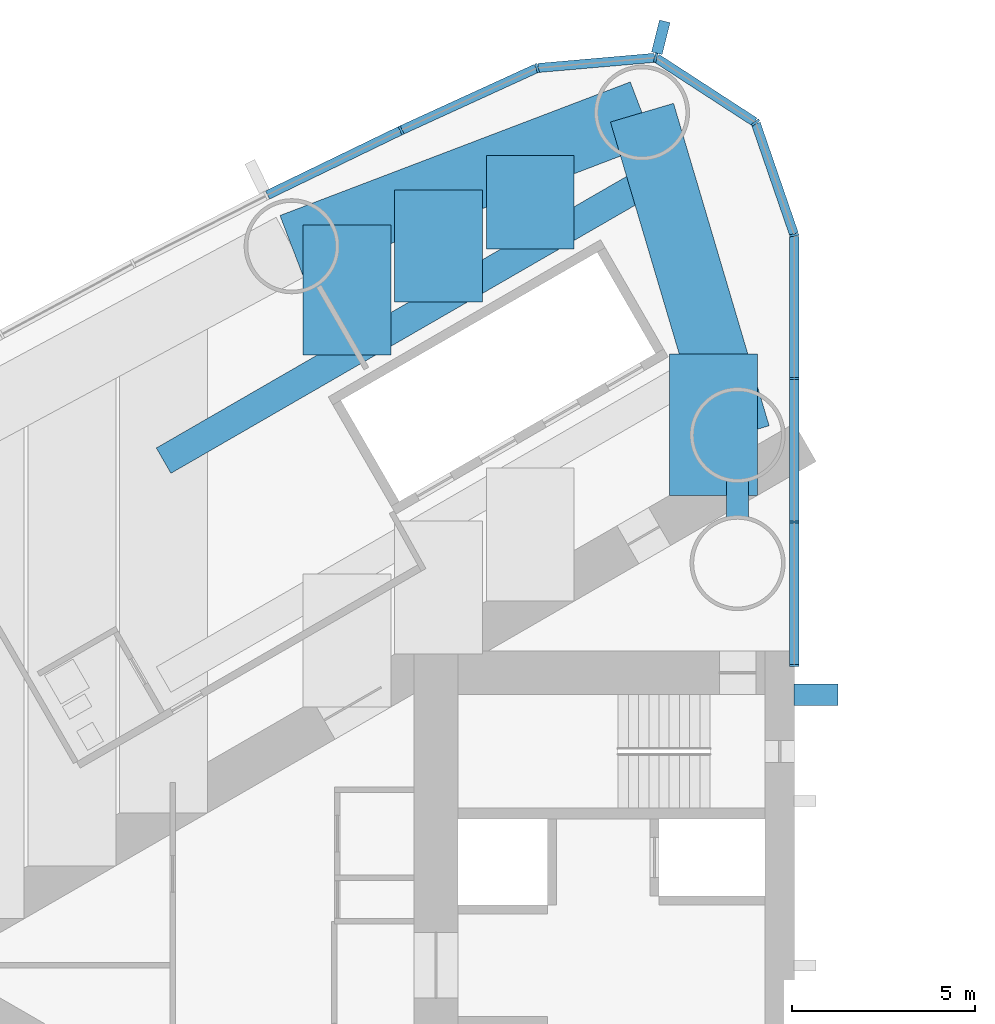
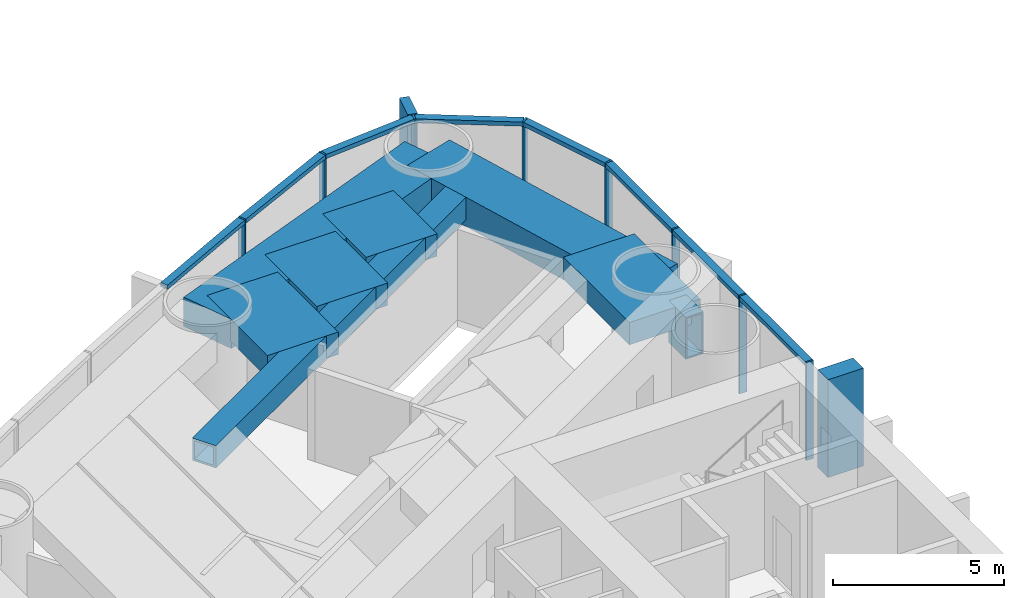
# One storey, part 5 of 18: 18 members, 8 beams, 1 element without a shape of its own.
"""IFC4 building model written with IfcOpenShell, lengths in metres."""

from ifc_helpers import new_model, si_unit, direction, frame, origin, origin_2d, place, context, subcontext, project, spatial, rectangle, hollow_rectangle, extrude, material, material_profile, profile_set, type_object, element, aggregate, save


model = new_model("IFC4")

# Units and contexts
model_context = context("Model", 3, precision=1e-05, world=origin(), true_north=direction((0.0, 1.0)))
body_context = subcontext(model_context, "Body", "Model", "MODEL_VIEW")
ifc_project = project(units=[si_unit("LENGTHUNIT", "METRE"), si_unit("AREAUNIT", "SQUARE_METRE"), si_unit("VOLUMEUNIT", "CUBIC_METRE"), si_unit("PLANEANGLEUNIT", "RADIAN"), si_unit("MASSUNIT", "GRAM", prefix="KILO")], contexts=[model_context])

# Site, building, storey
site_placement = place(None, origin())
site = spatial("IfcSite", under=ifc_project, at=site_placement, CompositionType="ELEMENT")
building_placement = place(site_placement, origin())
building = spatial("IfcBuilding", under=site, at=building_placement, Name="Lancet Gate Hotel", CompositionType="ELEMENT")
storey_placement = place(building_placement, frame((0.0, 0.0, 125.60009765625)))
storey = spatial("IfcBuildingStorey", under=building, at=storey_placement, Name="L33", CompositionType="ELEMENT", Elevation=125.60009765625)

# Curtain wall, members
ifc_material_1 = material(Name="Aluminium curtain wall", Category="aluminium")
curtain_wall_type = type_object("IfcCurtainWallType", Name="Tower unitised curtain wall", PredefinedType="USERDEFINED", material=ifc_material_1)
curtain_wall_placement = place(storey_placement, origin())
curtain_wall = element("IfcCurtainWall", 1, at=curtain_wall_placement, inside=storey, type_object=curtain_wall_type, Name="T1 L33 curtain wall 1", ObjectType="UNITISED CURTAIN WALL", PredefinedType="USERDEFINED")
ifc_material_2 = material(Name="Aluminium mullion", Category="aluminium")
ifc_material_profile_1 = material_profile(ifc_material_2, rectangle(XDim=0.06494140625, YDim=0.25, at=origin_2d()), Name="MULLION 65x250")
ifc_profile_set_1 = profile_set([ifc_material_profile_1], Name="Aluminium mullion")
member_type_1 = type_object("IfcMemberType", Name="Aluminium mullion 65x250", PredefinedType="MULLION", material=ifc_profile_set_1)
member_1_placement = place(storey_placement, frame((-27.5, 8.199951171875, 0.0), z_axis=(0.0, 0.0, 1.0), x_axis=(0.0, 1.0, 0.0)))
member_1 = element("IfcMember", 2, at=member_1_placement, type_object=member_type_1, Name="T1 L33 curtain wall 1 mullion 1", PredefinedType="MULLION", context=body_context, shape_type="SweptSolid", body=[
    extrude(rectangle(XDim=0.06494140625, YDim=0.25, at=origin_2d()), origin(), (0.0, 0.0, 1.0), 3.5),
])
member_2_placement = place(storey_placement, frame((-27.5, 12.123779296875, 0.0), z_axis=(0.0, 0.0, 1.0), x_axis=(0.0, 1.0, 0.0)))
member_2 = element("IfcMember", 3, at=member_2_placement, type_object=member_type_1, Name="T1 L33 curtain wall 1 mullion 2", PredefinedType="MULLION", context=body_context, shape_type="SweptSolid", body=[
    extrude(rectangle(XDim=0.06494140625, YDim=0.25, at=origin_2d()), origin(), (0.0, 0.0, 1.0), 3.5),
])
member_3_placement = place(storey_placement, frame((-27.5, 16.04736328125, 0.0), z_axis=(0.0, 0.0, 1.0), x_axis=(0.0, 1.0, 0.0)))
member_3 = element("IfcMember", 4, at=member_3_placement, type_object=member_type_1, Name="T1 L33 curtain wall 1 mullion 3", PredefinedType="MULLION", context=body_context, shape_type="SweptSolid", body=[
    extrude(rectangle(XDim=0.06494140625, YDim=0.25, at=origin_2d()), origin(), (0.0, 0.0, 1.0), 3.5),
])
member_4_placement = place(storey_placement, frame((-27.5, 19.97119140625, 0.0), z_axis=(0.0, 0.0, 1.0), x_axis=(-0.149634446211, 0.988741388082, 0.0)))
member_4 = element("IfcMember", 5, at=member_4_placement, type_object=member_type_1, Name="T1 L33 curtain wall 1 mullion 4", PredefinedType="MULLION", context=body_context, shape_type="SweptSolid", body=[
    extrude(rectangle(XDim=0.06494140625, YDim=0.25, at=origin_2d()), origin(), (0.0, 0.0, 1.0), 3.5),
])
member_5_placement = place(storey_placement, frame((-28.5595703125, 23.049072265625, 0.0), z_axis=(0.0, 0.0, 1.0), x_axis=(-0.615574240878, 0.788078900851, 0.0)))
member_5 = element("IfcMember", 6, at=member_5_placement, type_object=member_type_1, Name="T1 L33 curtain wall 1 mullion 5", PredefinedType="MULLION", context=body_context, shape_type="SweptSolid", body=[
    extrude(rectangle(XDim=0.06494140625, YDim=0.25, at=origin_2d()), origin(), (0.0, 0.0, 1.0), 3.5),
])
member_6_placement = place(storey_placement, frame((-31.289306640625, 24.822265625, 0.0), z_axis=(0.0, 0.0, 1.0), x_axis=(-0.970242142288, 0.242136707934, 0.0)))
member_6 = element("IfcMember", 7, at=member_6_placement, type_object=member_type_1, Name="T1 L33 curtain wall 1 mullion 6", PredefinedType="MULLION", context=body_context, shape_type="SweptSolid", body=[
    extrude(rectangle(XDim=0.06494140625, YDim=0.25, at=origin_2d()), origin(), (0.0, 0.0, 1.0), 3.5),
])
member_7_placement = place(storey_placement, frame((-34.5322265625, 24.53955078125, 0.0), z_axis=(0.0, 0.0, 1.0), x_axis=(-0.961653318232, -0.27426792655, 0.0)))
member_7 = element("IfcMember", 8, at=member_7_placement, type_object=member_type_1, Name="T1 L33 curtain wall 1 mullion 7", PredefinedType="MULLION", context=body_context, shape_type="SweptSolid", body=[
    extrude(rectangle(XDim=0.06494140625, YDim=0.25, at=origin_2d()), origin(), (0.0, 0.0, 1.0), 3.5),
])
member_8_placement = place(storey_placement, frame((-38.25244140625, 22.83642578125, 0.0), z_axis=(0.0, 0.0, 1.0), x_axis=(-0.904719609771, -0.426007544178, 0.0)))
member_8 = element("IfcMember", 9, at=member_8_placement, type_object=member_type_1, Name="T1 L33 curtain wall 1 mullion 8", PredefinedType="MULLION", context=body_context, shape_type="SweptSolid", body=[
    extrude(rectangle(XDim=0.06494140625, YDim=0.25, at=origin_2d()), origin(), (0.0, 0.0, 1.0), 3.5),
])
ifc_material_3 = material(Name="Aluminium transom", Category="aluminium")
ifc_material_profile_2 = material_profile(ifc_material_3, rectangle(XDim=0.25, YDim=0.14990234375, at=origin_2d()), Name="TRANSOM 250x150")
ifc_profile_set_2 = profile_set([ifc_material_profile_2], Name="Aluminium transom")
member_type_2 = type_object("IfcMemberType", Name="Aluminium transom 250x150", PredefinedType="USERDEFINED", material=ifc_profile_set_2)
member_9_placement = place(storey_placement, frame((-27.5, 8.232421875, 3.4248046875), z_axis=(0.0, 1.0, 0.0), x_axis=(-1.0, 0.0, 0.0)))
member_9 = element("IfcMember", 10, at=member_9_placement, type_object=member_type_2, Name="T1 L33 curtain wall 1 transom 1", ObjectType="TRANSOM", PredefinedType="USERDEFINED", context=body_context, shape_type="SweptSolid", body=[
    extrude(rectangle(XDim=0.25, YDim=0.14990234375, at=origin_2d()), origin(), (0.0, 0.0, 1.0), 3.85888671875),
])
member_10_placement = place(storey_placement, frame((-27.5, 12.15625, 3.4248046875), z_axis=(0.0, 1.0, 0.0), x_axis=(-1.0, 0.0, 0.0)))
member_10 = element("IfcMember", 11, at=member_10_placement, type_object=member_type_2, Name="T1 L33 curtain wall 1 transom 2", ObjectType="TRANSOM", PredefinedType="USERDEFINED", context=body_context, shape_type="SweptSolid", body=[
    extrude(rectangle(XDim=0.25, YDim=0.14990234375, at=origin_2d()), origin(), (0.0, 0.0, 1.0), 3.858642578125),
])
member_11_placement = place(storey_placement, frame((-27.5, 16.079833984375, 3.4248046875), z_axis=(0.0, 1.0, 0.0), x_axis=(-1.0, 0.0, 0.0)))
member_11 = element("IfcMember", 12, at=member_11_placement, type_object=member_type_2, Name="T1 L33 curtain wall 1 transom 3", ObjectType="TRANSOM", PredefinedType="USERDEFINED", context=body_context, shape_type="SweptSolid", body=[
    extrude(rectangle(XDim=0.25, YDim=0.14990234375, at=origin_2d()), origin(), (0.0, 0.0, 1.0), 3.858642578125),
])
member_12_placement = place(storey_placement, frame((-27.510498046875, 20.001708984375, 3.4248046875), z_axis=(-0.32553312754, 0.945530635609, 0.0), x_axis=(-0.945530635609, -0.32553312754, 0.0)))
member_12 = element("IfcMember", 13, at=member_12_placement, type_object=member_type_2, Name="T1 L33 curtain wall 1 transom 4", ObjectType="TRANSOM", PredefinedType="USERDEFINED", context=body_context, shape_type="SweptSolid", body=[
    extrude(rectangle(XDim=0.25, YDim=0.14990234375, at=origin_2d()), origin(), (0.0, 0.0, 1.0), 3.1904296875),
])
member_13_placement = place(storey_placement, frame((-28.5869140625, 23.066650390625, 3.4248046875), z_axis=(-0.838550259452, 0.544824249068, 0.0), x_axis=(-0.544824249068, -0.838550259452, 0.0)))
member_13 = element("IfcMember", 14, at=member_13_placement, type_object=member_type_2, Name="T1 L33 curtain wall 1 transom 5", ObjectType="TRANSOM", PredefinedType="USERDEFINED", context=body_context, shape_type="SweptSolid", body=[
    extrude(rectangle(XDim=0.25, YDim=0.14990234375, at=origin_2d()), origin(), (0.0, 0.0, 1.0), 3.190185546875),
])
member_14_placement = place(storey_placement, frame((-31.32177734375, 24.819580078125, 3.4248046875), z_axis=(-0.996213545522, -0.086940046686, 0.0), x_axis=(0.086940046686, -0.996213545522, 0.0)))
member_14 = element("IfcMember", 15, at=member_14_placement, type_object=member_type_2, Name="T1 L33 curtain wall 1 transom 6", ObjectType="TRANSOM", PredefinedType="USERDEFINED", context=body_context, shape_type="SweptSolid", body=[
    extrude(rectangle(XDim=0.25, YDim=0.14990234375, at=origin_2d()), origin(), (0.0, 0.0, 1.0), 3.18994140625),
])
member_15_placement = place(storey_placement, frame((-34.561767578125, 24.52587890625, 3.4248046875), z_axis=(-0.909252284196, -0.416245460857, 0.0), x_axis=(0.416245460857, -0.909252284196, 0.0)))
member_15 = element("IfcMember", 16, at=member_15_placement, type_object=member_type_2, Name="T1 L33 curtain wall 1 transom 7", ObjectType="TRANSOM", PredefinedType="USERDEFINED", context=body_context, shape_type="SweptSolid", body=[
    extrude(rectangle(XDim=0.25, YDim=0.14990234375, at=origin_2d()), origin(), (0.0, 0.0, 1.0), 4.026611328125),
])
member_16_placement = place(storey_placement, frame((-38.28173828125, 22.822265625, 3.4248046875), z_axis=(-0.900065677074, -0.435754262117, 0.0), x_axis=(0.435754262117, -0.900065677074, 0.0)))
member_16 = element("IfcMember", 17, at=member_16_placement, type_object=member_type_2, Name="T1 L33 curtain wall 1 transom 8", ObjectType="TRANSOM", PredefinedType="USERDEFINED", context=body_context, shape_type="SweptSolid", body=[
    extrude(rectangle(XDim=0.25, YDim=0.14990234375, at=origin_2d()), origin(), (0.0, 0.0, 1.0), 4.026611328125),
])

# Beams
ifc_material_4 = material(Name="Concrete C50/60", Category="concrete")
ifc_material_profile_3 = material_profile(ifc_material_4, rectangle(XDim=1.800048828125, YDim=1.050048828125, at=origin_2d()), Name="RC 1800x1050")
ifc_profile_set_3 = profile_set([ifc_material_profile_3], Name="Concrete C50/60")
beam_type_1 = type_object("IfcBeamType", Name="Edge beam RC 1800x1050", PredefinedType="SPANDREL", material=ifc_profile_set_3)
beam_1_placement = place(storey_placement, frame((-31.66455078125, 23.318359375, 2.724853515625), z_axis=(-0.934392266213, -0.356245832033, 0.0), x_axis=(0.356245832033, -0.934392266213, 0.0)))
element("IfcBeam", 18, at=beam_1_placement, inside=storey, type_object=beam_type_1, Name="T1 edge beam EB1 L33", PredefinedType="SPANDREL", context=body_context, shape_type="SweptSolid", body=[
    extrude(rectangle(XDim=1.800048828125, YDim=1.050048828125, at=origin_2d()), origin(), (0.0, 0.0, 1.0), 10.2529296875),
])
beam_2_placement = place(storey_placement, frame((-31.66455078125, 23.318359375, 2.724853515625), z_axis=(0.284253711522, -0.958749095168, 0.0), x_axis=(0.958749095168, 0.284253711522, 0.0)))
element("IfcBeam", 19, at=beam_2_placement, inside=storey, type_object=beam_type_1, Name="T1 edge beam EB1 L33", PredefinedType="SPANDREL", context=body_context, shape_type="SweptSolid", body=[
    extrude(rectangle(XDim=1.800048828125, YDim=1.050048828125, at=origin_2d()), origin(), (0.0, 0.0, 1.0), 9.19775390625),
])

# Member
ifc_material_5 = material(Name="Concrete C60/75", Category="concrete")
ifc_material_profile_4 = material_profile(ifc_material_5, rectangle(XDim=0.60009765625, YDim=1.199951171875, at=origin_2d()), Name="FIN 600x1200")
ifc_profile_set_4 = profile_set([ifc_material_profile_4], Name="Concrete C60/75")
member_type_3 = type_object("IfcMemberType", Name="Exposed concrete buttress pilaster 600x1200", PredefinedType="USERDEFINED", material=ifc_profile_set_4)
member_17_placement = place(storey_placement, frame((-26.909912109375, 7.39990234375, 0.0), z_axis=(0.0, 0.0, 1.0), x_axis=(0.0, 1.0, 0.0)))
element("IfcMember", 20, at=member_17_placement, inside=storey, type_object=member_type_3, Name="T1 buttress pilaster S L33", ObjectType="FIN", PredefinedType="USERDEFINED", context=body_context, shape_type="SweptSolid", body=[
    extrude(rectangle(XDim=0.60009765625, YDim=1.199951171875, at=origin_2d()), origin(), (0.0, 0.0, 1.0), 3.5),
])

ifc_material_6 = material(Name="Precast concrete C50/60", Category="concrete")
ifc_material_profile_5 = material_profile(ifc_material_6, rectangle(XDim=0.300048828125, YDim=0.89990234375, at=origin_2d()), Name="FIN 300x900")
ifc_profile_set_5 = profile_set([ifc_material_profile_5], Name="Precast concrete C50/60")
member_type_4 = type_object("IfcMemberType", Name="Exposed concrete fin 300x900", PredefinedType="USERDEFINED", material=ifc_profile_set_5)
member_18_placement = place(storey_placement, frame((-31.150146484375, 25.380126953125, 0.0), z_axis=(0.0, 0.0, 1.0), x_axis=(-0.970242142288, 0.242136707934, 0.0)))
member_18 = element("IfcMember", 21, at=member_18_placement, type_object=member_type_4, Name="T1 L33 curtain wall 1 fin 6", ObjectType="FIN", PredefinedType="USERDEFINED", context=body_context, shape_type="SweptSolid", body=[
    extrude(rectangle(XDim=0.300048828125, YDim=0.89990234375, at=origin_2d()), origin(), (0.0, 0.0, 1.0), 3.5),
])

aggregate(curtain_wall, [member_1, member_2, member_3, member_4, member_5, member_6, member_18, member_7, member_8, member_9, member_10, member_11, member_12, member_13, member_14, member_15, member_16])

# Beams
ifc_material_7 = material(Name="Concrete C50/60", Category="concrete")
ifc_material_profile_6 = material_profile(ifc_material_7, rectangle(XDim=2.39990234375, YDim=0.800048828125, at=origin_2d()), Name="RC 2400x800")
ifc_profile_set_6 = profile_set([ifc_material_profile_6], Name="Concrete C50/60")
beam_type_2 = type_object("IfcBeamType", Name="Floor beam RC 2400x800", PredefinedType="BEAM", material=ifc_profile_set_6)
beam_3_placement = place(storey_placement, frame((-29.706787109375, 16.71533203125, 2.849853515625), z_axis=(0.0, -1.0, 0.0), x_axis=(1.0, 0.0, 0.0)))
element("IfcBeam", 22, at=beam_3_placement, inside=storey, type_object=beam_type_2, Name="T1 floor beam F02S L33", PredefinedType="BEAM", context=body_context, shape_type="SweptSolid", body=[
    extrude(rectangle(XDim=2.39990234375, YDim=0.800048828125, at=origin_2d()), origin(), (0.0, 0.0, 1.0), 3.86279296875),
])
beam_4_placement = place(storey_placement, frame((-34.720458984375, 22.1533203125, 2.849853515625), z_axis=(0.0, -1.0, 0.0), x_axis=(1.0, 0.0, 0.0)))
element("IfcBeam", 23, at=beam_4_placement, inside=storey, type_object=beam_type_2, Name="T1 floor beam F04SA L33", PredefinedType="BEAM", context=body_context, shape_type="SweptSolid", body=[
    extrude(rectangle(XDim=2.39990234375, YDim=0.800048828125, at=origin_2d()), origin(), (0.0, 0.0, 1.0), 2.561767578125),
])
beam_5_placement = place(storey_placement, frame((-37.227294921875, 21.197509765625, 2.849853515625), z_axis=(0.0, -1.0, 0.0), x_axis=(1.0, 0.0, 0.0)))
element("IfcBeam", 24, at=beam_5_placement, inside=storey, type_object=beam_type_2, Name="T1 floor beam F05SA L33", PredefinedType="BEAM", context=body_context, shape_type="SweptSolid", body=[
    extrude(rectangle(XDim=2.39990234375, YDim=0.800048828125, at=origin_2d()), origin(), (0.0, 0.0, 1.0), 3.053466796875),
])
beam_6_placement = place(storey_placement, frame((-39.734130859375, 20.24169921875, 2.849853515625), z_axis=(0.0, -1.0, 0.0), x_axis=(1.0, 0.0, 0.0)))
element("IfcBeam", 25, at=beam_6_placement, inside=storey, type_object=beam_type_2, Name="T1 floor beam F07SA L33", PredefinedType="BEAM", context=body_context, shape_type="SweptSolid", body=[
    extrude(rectangle(XDim=2.39990234375, YDim=0.800048828125, at=origin_2d()), origin(), (0.0, 0.0, 1.0), 3.545166015625),
])
ifc_material_8 = material(Name="Steel S460QL", Category="steel")
ifc_material_profile_7 = material_profile(ifc_material_8, hollow_rectangle(XDim=0.60009765625, YDim=1.5, WallThickness=0.050048828125, at=origin_2d()), Name="BOX 1500x600x50")
ifc_profile_set_7 = profile_set([ifc_material_profile_7], Name="Steel S460QL")
beam_type_3 = type_object("IfcBeamType", Name="Inner-face link beam BOX 1500x600x50", PredefinedType="BEAM", material=ifc_profile_set_7)
beam_7_placement = place(storey_placement, frame((-29.050048828125, 13.25, 2.5), z_axis=(0.0, -1.0, 0.0), x_axis=(1.0, 0.0, 0.0)))
element("IfcBeam", 26, at=beam_7_placement, inside=storey, type_object=beam_type_3, Name="T1 inner-face link beam LK1 L33", PredefinedType="BEAM", context=body_context, shape_type="SweptSolid", body=[
    extrude(hollow_rectangle(XDim=0.60009765625, YDim=1.5, WallThickness=0.050048828125, at=origin_2d()), origin(), (0.0, 0.0, 1.0), 1.0),
])
ifc_material_9 = material(Name="Steel S460QL", Category="steel")
ifc_material_profile_8 = material_profile(ifc_material_9, hollow_rectangle(XDim=0.800048828125, YDim=0.800048828125, WallThickness=0.080078125, at=origin_2d()), Name="BOX 800x800x80")
ifc_profile_set_8 = profile_set([ifc_material_profile_8], Name="Steel S460QL")
beam_type_4 = type_object("IfcBeamType", Name="Trimmer beam BOX 800x800x80", PredefinedType="BEAM", material=ifc_profile_set_8)
beam_8_placement = place(storey_placement, frame((-31.16796875, 21.642822265625, 2.849853515625), z_axis=(-0.866004868127, -0.500035567115, 0.0), x_axis=(0.500035567115, -0.866004868127, 0.0)))
element("IfcBeam", 27, at=beam_8_placement, inside=storey, type_object=beam_type_4, Name="T1 trimmer beam TR04S L33", PredefinedType="BEAM", context=body_context, shape_type="SweptSolid", body=[
    extrude(hollow_rectangle(XDim=0.800048828125, YDim=0.800048828125, WallThickness=0.080078125, at=origin_2d()), origin(), (0.0, 0.0, 1.0), 15.680908203125),
])

save(model, "model.ifc")
